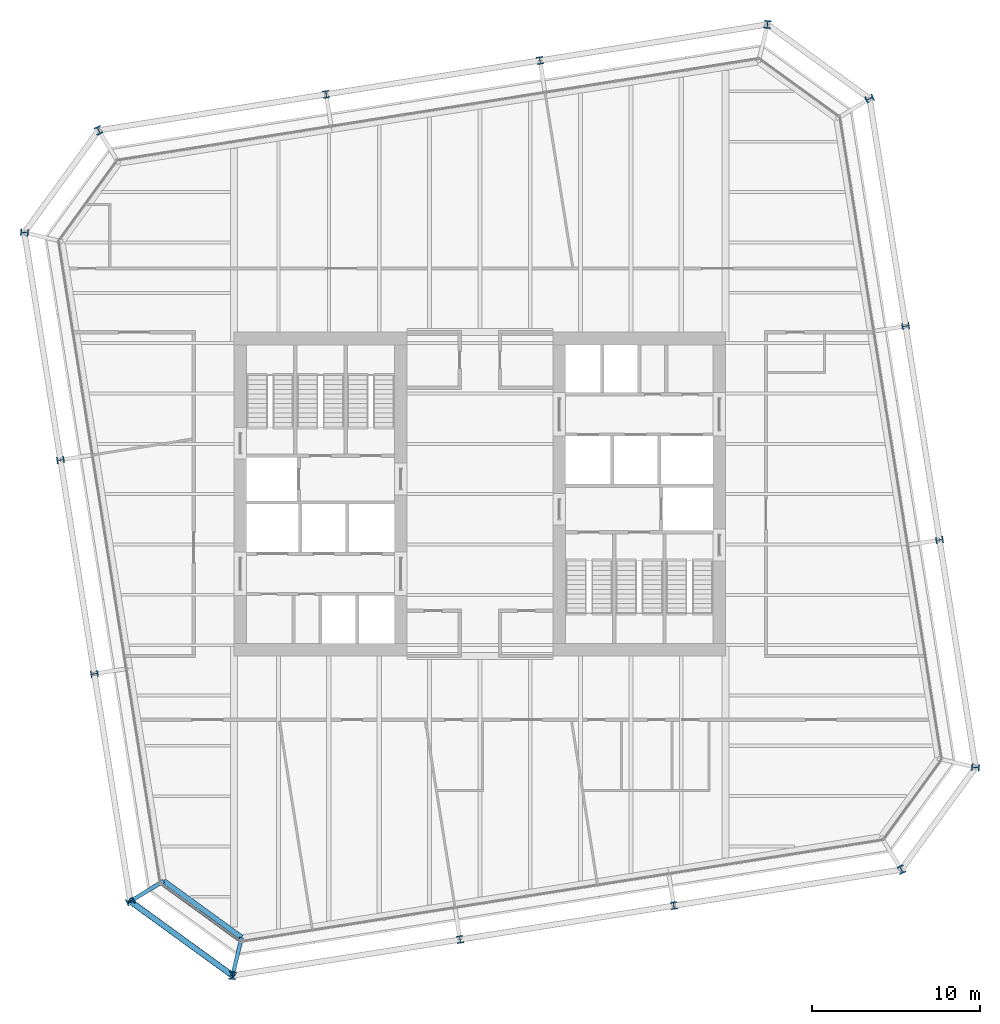
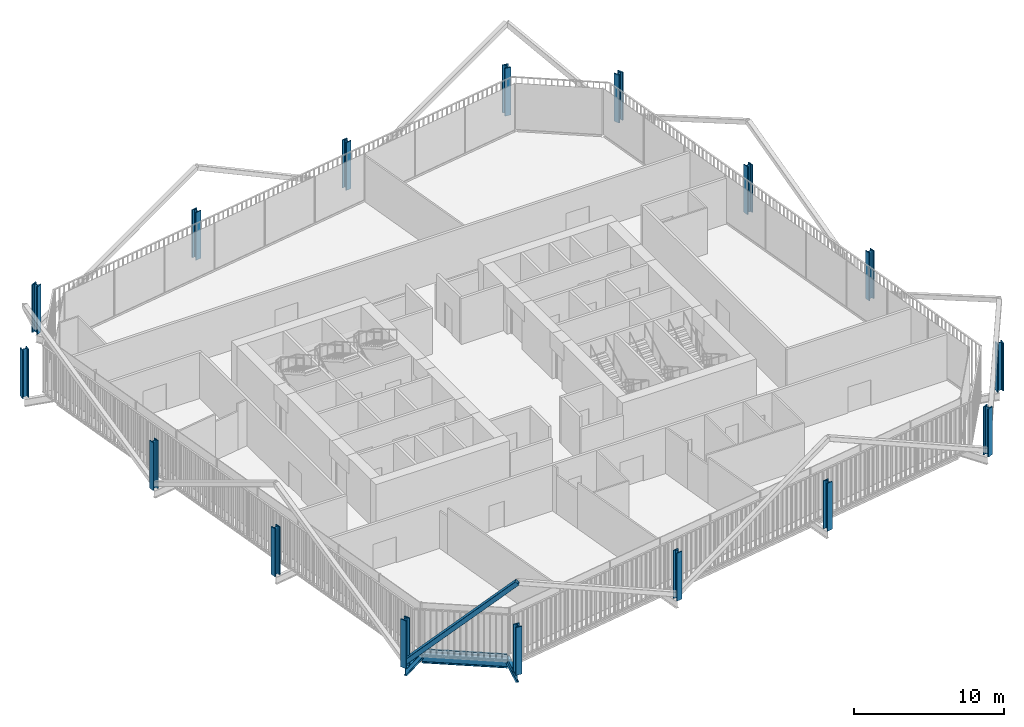
# One storey, part 1 of 22: 16 columns, 3 beams, 2 members, 1 element without a shape of its own.
"""IFC4 building model written with IfcOpenShell, lengths in metres."""

from ifc_helpers import new_model, si_unit, direction, frame, origin, origin_2d, place, context, subcontext, project, spatial, rectangle, hollow_rectangle, i_section, extrude, material, layer, layer_set, material_profile, profile_set, type_object, element, aggregate, save


model = new_model("IFC4")

# Units and contexts
model_context = context("Model", 3, precision=1e-05, world=origin(), true_north=direction((0.0, 1.0)))
body_context = subcontext(model_context, "Body", "Model", "MODEL_VIEW")
ifc_project = project(units=[si_unit("LENGTHUNIT", "METRE"), si_unit("AREAUNIT", "SQUARE_METRE"), si_unit("VOLUMEUNIT", "CUBIC_METRE"), si_unit("PLANEANGLEUNIT", "RADIAN"), si_unit("MASSUNIT", "GRAM", prefix="KILO")], contexts=[model_context])

# Site, building, storey
site_placement = place(None, origin())
site = spatial("IfcSite", under=ifc_project, at=site_placement, CompositionType="ELEMENT")
building_placement = place(site_placement, origin())
building = spatial("IfcBuilding", under=site, at=building_placement, Name="Millrace Tower", CompositionType="ELEMENT")
storey_placement = place(building_placement, frame((0.0, 0.0, 145.10009765625)))
storey = spatial("IfcBuildingStorey", under=building, at=storey_placement, Name="L32", CompositionType="ELEMENT", Elevation=145.10009765625)

# Columns
ifc_material_1 = material(Name="Steel ASTM A913 Grade 65", Category="steel")
ifc_material_profile_1 = material_profile(ifc_material_1, i_section(OverallWidth=0.419189453125, OverallDepth=0.45458984375, WebThickness=0.042236328125, FlangeThickness=0.067626953125, FilletRadius=0.01513671875, at=origin_2d()))
ifc_profile_set_1 = profile_set([ifc_material_profile_1], Name="Steel ASTM A913 Grade 65")
column_type_1 = type_object("IfcColumnType", Name="Exoskeleton column W14x370", PredefinedType="COLUMN", material=ifc_profile_set_1)
for number, where, z_axis, x_axis, name in (
    (1, (-1.181396484375, -26.545166015625, 0.0), (0.0, 0.0, 1.0), (0.987688339156, 0.156434474125, 0.0), "COL-C-L32-X03"),
    (2, (11.5595703125, -24.527099609375, 0.0), (0.0, 0.0, 1.0), (0.987688338239, 0.156434479917, 0.0), "COL-C-L32-X04"),
    (3, (27.39501953125, -2.7314453125, 0.0), (0.0, 0.0, 1.0), (-0.156434474125, 0.987688339156, 0.0), "COL-C-L32-X07"),
    (4, (25.376953125, 10.009765625, 0.0), (0.0, 0.0, 1.0), (-0.156434479917, 0.987688338239, 0.0), "COL-C-L32-X08"),
    (5, (3.58154296875, 25.844970703125, 0.0), (0.0, 0.0, 1.0), (-0.987688339156, -0.156434474125, 0.0), "COL-C-L32-X11"),
    (6, (-9.15966796875, 23.8271484375, 0.0), (0.0, 0.0, 1.0), (-0.987688338239, -0.156434479917, 0.0), "COL-C-L32-X12"),
    (7, (-24.9951171875, 2.031494140625, 0.0), (0.0, 0.0, 1.0), (0.156434474125, -0.987688339156, 0.0), "COL-C-L32-X15"),
    (8, (-22.97705078125, -10.709716796875, 0.0), (0.0, 0.0, 1.0), (0.156434479917, -0.987688338239, 0.0), "COL-C-L32-X16"),
):
    element("IfcColumn", number, at=place(storey_placement, frame(where, z_axis=z_axis, x_axis=x_axis)), inside=storey, type_object=column_type_1, Name=name, PredefinedType="COLUMN", context=body_context, shape_type="SweptSolid", body=[
        extrude(i_section(OverallWidth=0.419189453125, OverallDepth=0.45458984375, WebThickness=0.042236328125, FlangeThickness=0.067626953125, FilletRadius=0.01513671875, at=origin_2d()), origin(), (0.0, 0.0, 1.0), 3.89990234375),
    ])
ifc_material_2 = material(Name="Steel ASTM A913 Grade 65", Category="steel")
ifc_material_profile_2 = material_profile(ifc_material_2, i_section(OverallWidth=0.4267578125, OverallDepth=0.482666015625, WebThickness=0.05126953125, FlangeThickness=0.08154296875, FilletRadius=0.01513671875, at=origin_2d()))
ifc_profile_set_2 = profile_set([ifc_material_profile_2], Name="Steel ASTM A913 Grade 65")
column_type_2 = type_object("IfcColumnType", Name="Exoskeleton column W14x455", PredefinedType="COLUMN", material=ifc_profile_set_2)
for number, where, z_axis, x_axis, name in (
    (9, (-20.829345703125, -24.26904296875, 0.0), (0.0, 0.0, 1.0), (0.416401106568, -0.909181015227, 0.0), "COL-C-L32-X01"),
    (10, (-14.740966796875, -28.692626953125, 0.0), (0.0, 0.0, 1.0), (0.993357548409, -0.115068592665, 0.0), "COL-C-L32-X02"),
    (11, (25.119140625, -22.37939453125, 0.0), (0.0, 0.0, 1.0), (0.909181015227, 0.416401106568, 0.0), "COL-C-L32-X05"),
    (12, (29.542724609375, -16.291015625, 0.0), (0.0, 0.0, 1.0), (0.115068592665, 0.993357548409, 0.0), "COL-C-L32-X06"),
    (13, (23.2294921875, 23.569091796875, 0.0), (0.0, 0.0, 1.0), (-0.416401106568, 0.909181015227, 0.0), "COL-C-L32-X09"),
    (14, (17.140869140625, 27.99267578125, 0.0), (0.0, 0.0, 1.0), (-0.993357548409, 0.115068592665, 0.0), "COL-C-L32-X10"),
    (15, (-22.718994140625, 21.679443359375, 0.0), (0.0, 0.0, 1.0), (-0.909181015227, -0.416401106568, 0.0), "COL-C-L32-X13"),
    (16, (-27.142578125, 15.5908203125, 0.0), (0.0, 0.0, 1.0), (-0.115068592665, -0.993357548409, 0.0), "COL-C-L32-X14"),
):
    element("IfcColumn", number, at=place(storey_placement, frame(where, z_axis=z_axis, x_axis=x_axis)), inside=storey, type_object=column_type_2, Name=name, PredefinedType="COLUMN", context=body_context, shape_type="SweptSolid", body=[
        extrude(i_section(OverallWidth=0.4267578125, OverallDepth=0.482666015625, WebThickness=0.05126953125, FlangeThickness=0.08154296875, FilletRadius=0.01513671875, at=origin_2d()), origin(), (0.0, 0.0, 1.0), 3.89990234375),
    ])

# Curtain wall, member
ifc_material_3 = material(Name="Aluminium and glass", Category="aluminium")
ifc_layer = layer(ifc_material_3, 0.14990234375)
ifc_layer_set = layer_set([ifc_layer], Name="Aluminium and glass")
curtain_wall_type = type_object("IfcCurtainWallType", Name="CW-1 office vision curtain wall", PredefinedType="NOTDEFINED", material=ifc_layer_set)
curtain_wall_placement = place(storey_placement, origin())
curtain_wall = element("IfcCurtainWall", 17, at=curtain_wall_placement, inside=storey, type_object=curtain_wall_type, Name="Curtain wall C-F01 L32", PredefinedType="NOTDEFINED")
ifc_material_4 = material(Name="Aluminium", Category="aluminium")
ifc_material_profile_3 = material_profile(ifc_material_4, rectangle(XDim=0.14990234375, YDim=0.139892578125, at=origin_2d()))
ifc_profile_set_3 = profile_set([ifc_material_profile_3], Name="Aluminium")
member_type_1 = type_object("IfcMemberType", Name="CW-1 office vision curtain wall transom", PredefinedType="USERDEFINED", material=ifc_profile_set_3)
member_1_placement = place(storey_placement, frame((-18.94677734375, -23.25732421875, 0.06982421875), z_axis=(0.808998591139, -0.587810581339, 0.0), x_axis=(0.587810581339, 0.808998591139, 0.0)))
member_1 = element("IfcMember", 18, at=member_1_placement, type_object=member_type_1, Name="CW1 transom C-F01.1", ObjectType="TRANSOM", PredefinedType="USERDEFINED", context=body_context, shape_type="SweptSolid", body=[
    extrude(rectangle(XDim=0.14990234375, YDim=0.139892578125, at=origin_2d()), origin(), (0.0, 0.0, 1.0), 5.6689453125),
])
aggregate(curtain_wall, [member_1])

# Member
ifc_material_5 = material(Name="Steel ASTM A500 Grade C", Category="steel")
ifc_material_profile_4 = material_profile(ifc_material_5, hollow_rectangle(XDim=0.355712890625, YDim=0.355712890625, WallThickness=0.015869140625, InnerFilletRadius=0.008056640625, OuterFilletRadius=0.02392578125, at=origin_2d()))
ifc_profile_set_4 = profile_set([ifc_material_profile_4], Name="Steel ASTM A500 Grade C")
member_type_2 = type_object("IfcMemberType", Name="Exoskeleton brace HSS14x14x5/8", PredefinedType="BRACE", material=ifc_profile_set_4)
member_2_placement = place(storey_placement, frame((-20.829345703125, -24.26904296875, 0.39990234375), z_axis=(0.592372334541, -0.430395153162, 0.681069034243), x_axis=(0.587795495726, 0.809009551985, 0.0)))
element("IfcMember", 19, at=member_2_placement, inside=storey, type_object=member_type_2, Name="BRC-C-L32-01", PredefinedType="BRACE", context=body_context, shape_type="SweptSolid", body=[
    extrude(hollow_rectangle(XDim=0.355712890625, YDim=0.355712890625, WallThickness=0.015869140625, InnerFilletRadius=0.008056640625, OuterFilletRadius=0.02392578125, at=origin_2d()), origin(), (0.0, 0.0, 1.0), 10.278076171875),
])

# Beams
ifc_material_6 = material(Name="Steel ASTM A992 Grade 50", Category="steel")
ifc_material_profile_5 = material_profile(ifc_material_6, i_section(OverallWidth=0.23046875, OverallDepth=0.6171875, WebThickness=0.01318359375, FlangeThickness=0.022216796875, FilletRadius=0.012939453125, at=origin_2d()))
ifc_profile_set_5 = profile_set([ifc_material_profile_5], Name="Steel ASTM A992 Grade 50")
beam_type_1 = type_object("IfcBeamType", Name="Link beam W24x94", PredefinedType="BEAM", material=ifc_profile_set_5)
for number, where, z_axis, x_axis, name in (
    (20, (-18.841796875, -23.051025390625, -0.46875), (-0.852631355792, -0.522512938711, 0.0), (0.522512938711, -0.852631355792, 0.0), "LNK-C-L32-S1-01"),
    (21, (-14.19677734375, -26.426025390625, -0.46875), (-0.233456138164, -0.972367333652, 0.0), (0.972367333652, -0.233456138164, 0.0), "LNK-C-L32-S1-16"),
):
    element("IfcBeam", number, at=place(storey_placement, frame(where, z_axis=z_axis, x_axis=x_axis)), inside=storey, type_object=beam_type_1, Name=name, PredefinedType="BEAM", context=body_context, shape_type="SweptSolid", body=[
        extrude(i_section(OverallWidth=0.23046875, OverallDepth=0.6171875, WebThickness=0.01318359375, FlangeThickness=0.022216796875, FilletRadius=0.012939453125, at=origin_2d()), origin(), (0.0, 0.0, 1.0), 2.3310546875),
    ])
ifc_material_7 = material(Name="Steel ASTM A992 Grade 50", Category="steel")
ifc_material_profile_6 = material_profile(ifc_material_7, i_section(OverallWidth=0.307373046875, OverallDepth=0.927001953125, WebThickness=0.01953125, FlangeThickness=0.031982421875, FilletRadius=0.01904296875, at=origin_2d()))
ifc_profile_set_6 = profile_set([ifc_material_profile_6], Name="Steel ASTM A992 Grade 50")
beam_type_2 = type_object("IfcBeamType", Name="Ring beam short span W36x194", PredefinedType="SPANDREL", material=ifc_profile_set_6)
beam_placement = place(storey_placement, frame((-14.19677734375, -26.426025390625, -0.62353515625), z_axis=(-0.80900078054, 0.587807568074, 0.0), x_axis=(-0.587807568074, -0.80900078054, 0.0)))
element("IfcBeam", 22, at=beam_placement, inside=storey, type_object=beam_type_2, Name="RNG-C-L32-S1-16", PredefinedType="SPANDREL", context=body_context, shape_type="SweptSolid", body=[
    extrude(i_section(OverallWidth=0.307373046875, OverallDepth=0.927001953125, WebThickness=0.01953125, FlangeThickness=0.031982421875, FilletRadius=0.01904296875, at=origin_2d()), origin(), (0.0, 0.0, 1.0), 5.74169921875),
])

save(model, "model.ifc")
